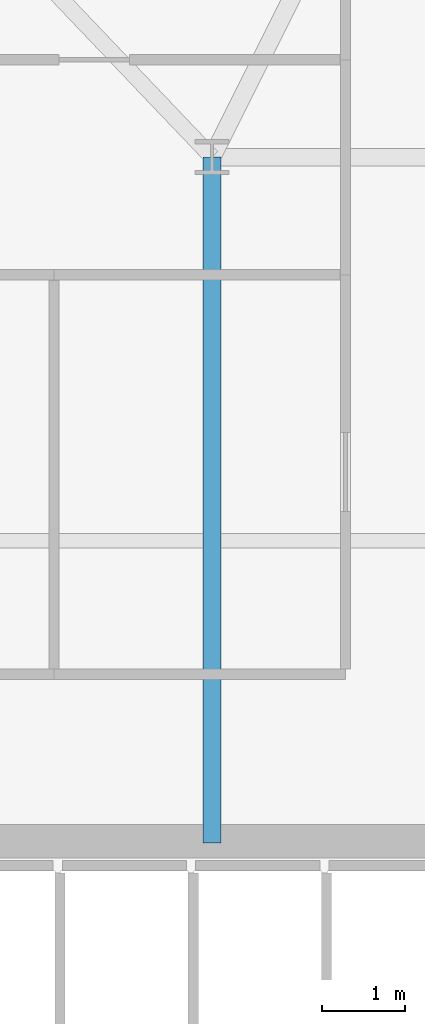
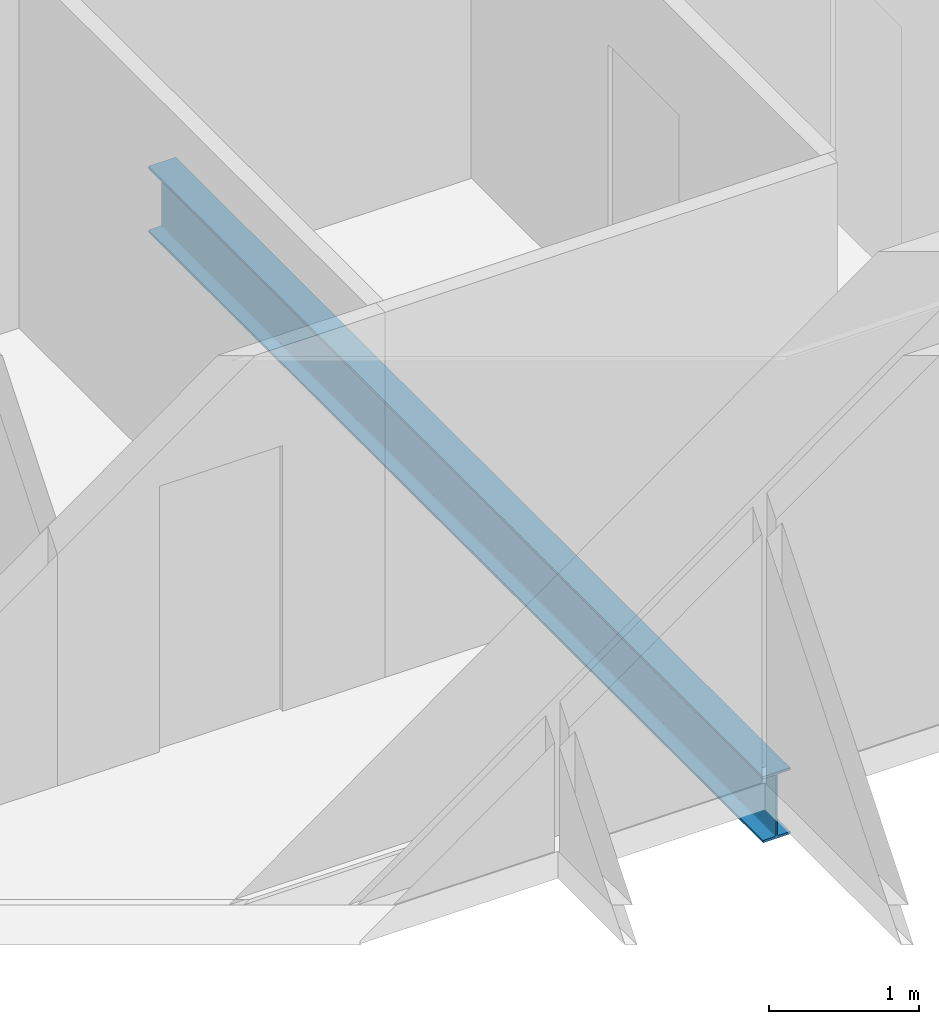
# One storey, part 5 of 33: 1 beam.
"""IFC4 building model written with IfcOpenShell, lengths in metres."""

from ifc_helpers import new_model, si_unit, direction, frame, origin, origin_2d, place, context, subcontext, project, spatial, i_section, extrude, material, material_profile, profile_set, type_object, element, save


model = new_model("IFC4")

# Units and contexts
model_context = context("Model", 3, precision=1e-05, world=origin(), true_north=direction((0.0, 1.0)))
body_context = subcontext(model_context, "Body", "Model", "MODEL_VIEW")
ifc_project = project(units=[si_unit("LENGTHUNIT", "METRE"), si_unit("AREAUNIT", "SQUARE_METRE"), si_unit("VOLUMEUNIT", "CUBIC_METRE"), si_unit("PLANEANGLEUNIT", "RADIAN"), si_unit("MASSUNIT", "GRAM", prefix="KILO")], contexts=[model_context])

# Site, building, storey
site_placement = place(None, origin())
site = spatial("IfcSite", under=ifc_project, at=site_placement, CompositionType="ELEMENT")
building_placement = place(site_placement, origin())
building = spatial("IfcBuilding", under=site, at=building_placement, Name="Ndaravel Arena Tower", CompositionType="ELEMENT")
storey_placement = place(building_placement, frame((0.0, 0.0, 187.800048828125)))
storey = spatial("IfcBuildingStorey", under=building, at=storey_placement, Name="L45", CompositionType="ELEMENT", Elevation=187.800048828125)

# Beam
ifc_material = material(Name="Steel S355", Category="steel")
ifc_material_profile = material_profile(ifc_material, i_section(OverallWidth=0.210693359375, OverallDepth=0.53955078125, WebThickness=0.01171875, FlangeThickness=0.018798828125, FilletRadius=0.0126953125, at=origin_2d()), Name="UB 533x210x109")
ifc_profile_set = profile_set([ifc_material_profile], Name="Steel S355")
beam_type = type_object("IfcBeamType", Name="BM-GIRD-UB533", PredefinedType="BEAM", material=ifc_profile_set)
beam_placement = place(storey_placement, frame((34.199951171875, 14.97998046875, -0.48974609375), z_axis=(0.0, 1.0, 0.0), x_axis=(-1.0, 0.0, 0.0)))
element("IfcBeam", 1, at=beam_placement, inside=storey, type_object=beam_type, Name="L45 Spine Link Girder SLG-01", PredefinedType="BEAM", context=body_context, shape_type="SweptSolid", body=[
    extrude(i_section(OverallWidth=0.210693359375, OverallDepth=0.53955078125, WebThickness=0.01171875, FlangeThickness=0.018798828125, FilletRadius=0.0126953125, at=origin_2d()), origin(), (0.0, 0.0, 1.0), 8.219970703125),
])

save(model, "model.ifc")
